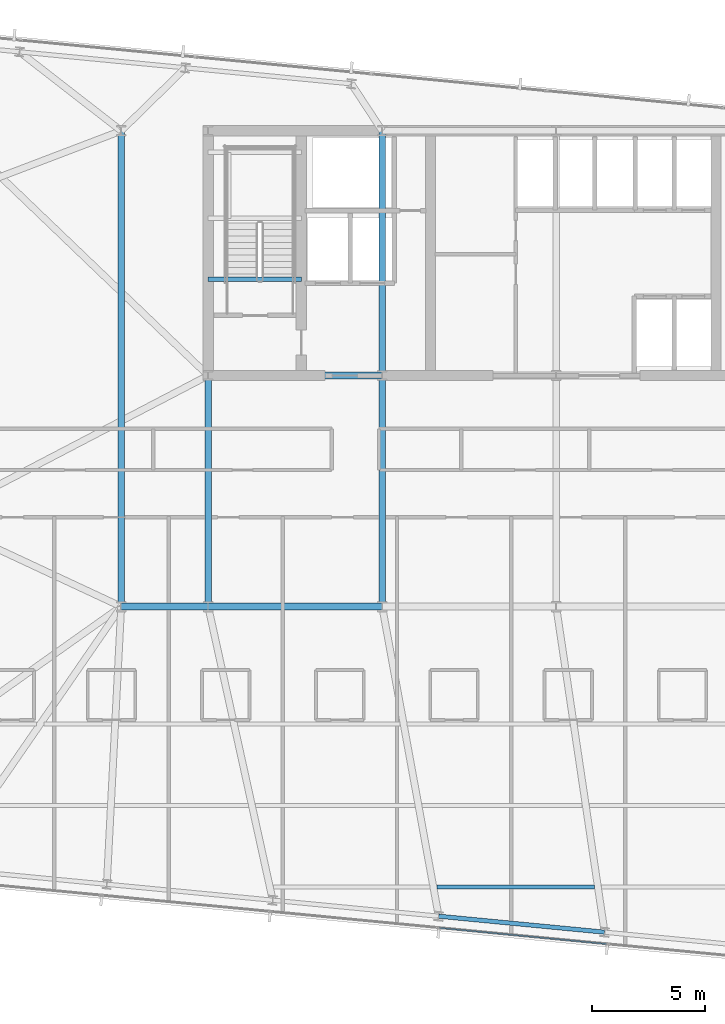
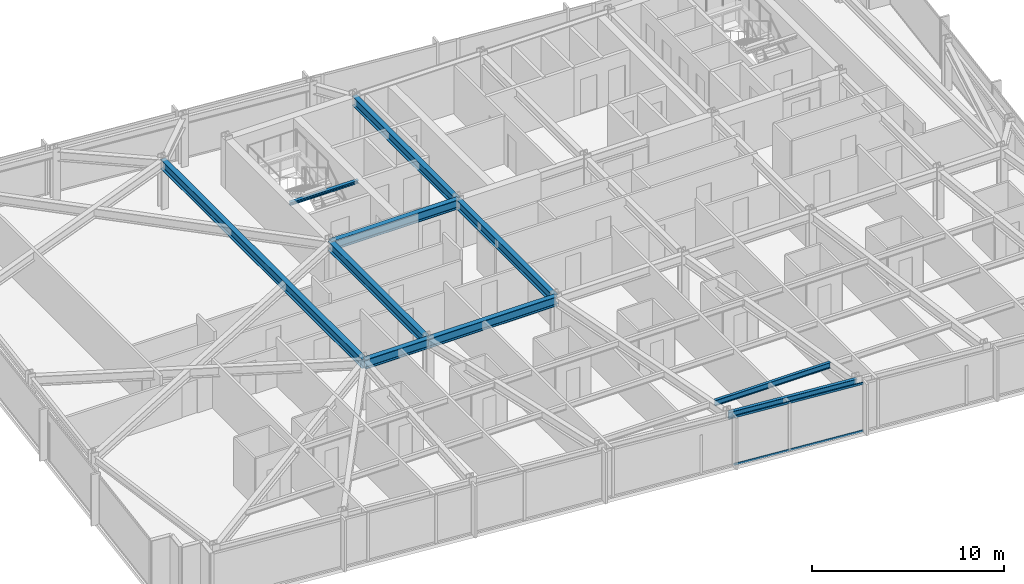
# One storey, part 11 of 37: 10 beams, 2 members, 1 element without a shape of its own.
"""IFC4 building model written with IfcOpenShell, lengths in metres."""

from ifc_helpers import new_model, si_unit, direction, frame, origin, origin_2d, place, context, subcontext, project, spatial, hollow_rectangle, i_section, extrude, material, material_profile, profile_set, type_object, element, aggregate, save


model = new_model("IFC4")

# Units and contexts
model_context = context("Model", 3, precision=1e-05, world=origin(), true_north=direction((0.0, 1.0)))
body_context = subcontext(model_context, "Body", "Model", "MODEL_VIEW")
ifc_project = project(units=[si_unit("LENGTHUNIT", "METRE"), si_unit("AREAUNIT", "SQUARE_METRE"), si_unit("VOLUMEUNIT", "CUBIC_METRE"), si_unit("PLANEANGLEUNIT", "RADIAN"), si_unit("MASSUNIT", "GRAM", prefix="KILO")], contexts=[model_context])

# Site, building, storey
site_placement = place(None, origin())
site = spatial("IfcSite", under=ifc_project, at=site_placement, CompositionType="ELEMENT")
building_placement = place(site_placement, origin())
building = spatial("IfcBuilding", under=site, at=building_placement, Name="Yelkora Congress Tower", CompositionType="ELEMENT")
storey_placement = place(building_placement, frame((0.0, 0.0, 182.0)))
storey = spatial("IfcBuildingStorey", under=building, at=storey_placement, Name="L50", CompositionType="ELEMENT", Elevation=182.0)

# Beams
ifc_material_1 = material(Name="Steel S355J2", Category="steel")
ifc_material_profile_1 = material_profile(ifc_material_1, i_section(OverallWidth=0.300048828125, OverallDepth=0.60009765625, WebThickness=0.015380859375, FlangeThickness=0.030029296875, FilletRadius=0.027099609375, at=origin_2d()), Name="HEB 600")
ifc_profile_set_1 = profile_set([ifc_material_profile_1], Name="Steel S355J2")
beam_type_1 = type_object("IfcBeamType", Name="BM-GIRD-HEB600", PredefinedType="BEAM", material=ifc_profile_set_1)
beam_1_placement = place(storey_placement, frame((19.199951171875, 25.199951171875, 2.780029296875), z_axis=(1.0, 0.0, 0.0), x_axis=(0.0, 1.0, 0.0)))
element("IfcBeam", 1, at=beam_1_placement, inside=storey, type_object=beam_type_1, Name="L50 Spine Grid D Girder 1", PredefinedType="BEAM", context=body_context, shape_type="SweptSolid", body=[
    extrude(i_section(OverallWidth=0.300048828125, OverallDepth=0.60009765625, WebThickness=0.015380859375, FlangeThickness=0.030029296875, FilletRadius=0.027099609375, at=origin_2d()), origin(), (0.0, 0.0, 1.0), 3.840087890625),
])
for number, where, z_axis, x_axis, name in (
    (2, (23.0400390625, 25.199951171875, 2.780029296875), (1.0, 0.0, 0.0), (0.0, 1.0, 0.0), "L50 Spine Grid D Girder 2"),
    (3, (23.0400390625, 35.39990234375, 2.780029296875), (1.0, 0.0, 0.0), (0.0, 1.0, 0.0), "L50 Core South Girder 1"),
):
    element("IfcBeam", number, at=place(storey_placement, frame(where, z_axis=z_axis, x_axis=x_axis)), inside=storey, type_object=beam_type_1, Name=name, PredefinedType="BEAM", context=body_context, shape_type="SweptSolid", body=[
        extrude(i_section(OverallWidth=0.300048828125, OverallDepth=0.60009765625, WebThickness=0.015380859375, FlangeThickness=0.030029296875, FilletRadius=0.027099609375, at=origin_2d()), origin(), (0.0, 0.0, 1.0), 7.679931640625),
    ])
for number, where, z_axis, x_axis, name in (
    (4, (23.0400390625, 25.199951171875, 2.780029296875), (0.0, 1.0, 0.0), (-1.0, 0.0, 0.0), "L50 Core Tie Girder MC-D1"),
    (5, (30.719970703125, 25.199951171875, 2.780029296875), (0.0, 1.0, 0.0), (-1.0, 0.0, 0.0), "L50 Core Tie Girder MC-D2"),
):
    element("IfcBeam", number, at=place(storey_placement, frame(where, z_axis=z_axis, x_axis=x_axis)), inside=storey, type_object=beam_type_1, Name=name, PredefinedType="BEAM", context=body_context, shape_type="SweptSolid", body=[
        extrude(i_section(OverallWidth=0.300048828125, OverallDepth=0.60009765625, WebThickness=0.015380859375, FlangeThickness=0.030029296875, FilletRadius=0.027099609375, at=origin_2d()), origin(), (0.0, 0.0, 1.0), 10.199951171875),
    ])
beam_2_placement = place(storey_placement, frame((30.719970703125, 35.39990234375, 2.780029296875), z_axis=(0.0, 1.0, 0.0), x_axis=(-1.0, 0.0, 0.0)))
element("IfcBeam", 6, at=beam_2_placement, inside=storey, type_object=beam_type_1, Name="L50 Core Tie Girder MC-S2", PredefinedType="BEAM", context=body_context, shape_type="SweptSolid", body=[
    extrude(i_section(OverallWidth=0.300048828125, OverallDepth=0.60009765625, WebThickness=0.015380859375, FlangeThickness=0.030029296875, FilletRadius=0.027099609375, at=origin_2d()), origin(), (0.0, 0.0, 1.0), 10.800048828125),
])
beam_3_placement = place(storey_placement, frame((19.199951171875, 25.199951171875, 2.780029296875), z_axis=(0.0, 1.0, 0.0), x_axis=(-1.0, 0.0, 0.0)))
element("IfcBeam", 7, at=beam_3_placement, inside=storey, type_object=beam_type_1, Name="L50 Neck Flank Girder MC-F1", PredefinedType="BEAM", context=body_context, shape_type="SweptSolid", body=[
    extrude(i_section(OverallWidth=0.300048828125, OverallDepth=0.60009765625, WebThickness=0.015380859375, FlangeThickness=0.030029296875, FilletRadius=0.027099609375, at=origin_2d()), origin(), (0.0, 0.0, 1.0), 21.0),
])
ifc_material_profile_2 = material_profile(ifc_material_1, i_section(OverallWidth=0.169921875, OverallDepth=0.360107421875, WebThickness=0.008056640625, FlangeThickness=0.0126953125, FilletRadius=0.01806640625, at=origin_2d()), Name="IPE 360")
ifc_profile_set_2 = profile_set([ifc_material_profile_2], Name="Steel S355J2")
beam_type_2 = type_object("IfcBeamType", Name="BM-JOIST-IPE360", PredefinedType="JOIST", material=ifc_profile_set_2)
beam_4_placement = place(storey_placement, frame((33.137939453125, 12.8212890625, 2.89990234375), z_axis=(1.0, 0.0, 0.0), x_axis=(0.0, 1.0, 0.0)))
element("IfcBeam", 8, at=beam_4_placement, inside=storey, type_object=beam_type_2, Name="L50 Composite Floor Joist 2", PredefinedType="JOIST", context=body_context, shape_type="SweptSolid", body=[
    extrude(i_section(OverallWidth=0.169921875, OverallDepth=0.360107421875, WebThickness=0.008056640625, FlangeThickness=0.0126953125, FilletRadius=0.01806640625, at=origin_2d()), origin(), (0.0, 0.0, 1.0), 6.94189453125),
])
ifc_material_profile_3 = material_profile(ifc_material_1, i_section(OverallWidth=0.199951171875, OverallDepth=0.18994140625, WebThickness=0.006591796875, FlangeThickness=0.010009765625, FilletRadius=0.01806640625, at=origin_2d()), Name="HEA 200")
ifc_profile_set_3 = profile_set([ifc_material_profile_3], Name="Steel S355J2")
beam_type_3 = type_object("IfcBeamType", Name="BM-LAND-HEA200", PredefinedType="BEAM", material=ifc_profile_set_3)
beam_5_placement = place(storey_placement, frame((23.0400390625, 39.639892578125, 2.85400390625), z_axis=(1.0, 0.0, 0.0), x_axis=(0.0, 1.0, 0.0)))
element("IfcBeam", 9, at=beam_5_placement, inside=storey, type_object=beam_type_3, Name="ST-01 L50 Floor Arrival Stringer Header Beam", PredefinedType="BEAM", context=body_context, shape_type="SweptSolid", body=[
    extrude(i_section(OverallWidth=0.199951171875, OverallDepth=0.18994140625, WebThickness=0.006591796875, FlangeThickness=0.010009765625, FilletRadius=0.01806640625, at=origin_2d()), origin(), (0.0, 0.0, 1.0), 4.10986328125),
])
ifc_material_profile_4 = material_profile(ifc_material_1, i_section(OverallWidth=0.18994140625, OverallDepth=0.449951171875, WebThickness=0.009521484375, FlangeThickness=0.0146484375, FilletRadius=0.02099609375, at=origin_2d()), Name="IPE 450")
ifc_profile_set_4 = profile_set([ifc_material_profile_4], Name="Steel S355J2")
beam_type_4 = type_object("IfcBeamType", Name="BM-SPAN-IPE450", PredefinedType="SPANDREL", material=ifc_profile_set_4)
beam_6_placement = place(storey_placement, frame((33.21240234375, 11.53662109375, 2.85498046875), z_axis=(0.995397104697, -0.095836339457, 0.0), x_axis=(0.095836339457, 0.995397104697, 0.0)))
element("IfcBeam", 10, at=beam_6_placement, inside=storey, type_object=beam_type_4, Name="L50 Perimeter Beam 6", PredefinedType="SPANDREL", context=body_context, shape_type="SweptSolid", body=[
    extrude(i_section(OverallWidth=0.18994140625, OverallDepth=0.449951171875, WebThickness=0.009521484375, FlangeThickness=0.0146484375, FilletRadius=0.02099609375, at=origin_2d()), origin(), (0.0, 0.0, 1.0), 7.357177734375),
])

# Curtain wall, members
ifc_material_2 = material(Name="Anodised aluminium and insulated glass", Category="aluminium")
curtain_wall_type = type_object("IfcCurtainWallType", Name="CW-SYS-B3", PredefinedType="NOTDEFINED", material=ifc_material_2)
curtain_wall_placement = place(storey_placement, origin())
curtain_wall = element("IfcCurtainWall", 11, at=curtain_wall_placement, inside=storey, type_object=curtain_wall_type, Name="L50 Unitised Curtain Wall 20", PredefinedType="NOTDEFINED")
ifc_material_3 = material(Name="Anodised aluminium 6063-T6", Category="aluminium")
ifc_material_profile_5 = material_profile(ifc_material_3, hollow_rectangle(XDim=0.06005859375, YDim=0.1298828125, WallThickness=0.00390625, at=origin_2d()), Name="ALU 60x130x4")
ifc_profile_set_5 = profile_set([ifc_material_profile_5], Name="Anodised aluminium 6063-T6")
member_type = type_object("IfcMemberType", Name="MEM-TR-B3", PredefinedType="USERDEFINED", material=ifc_profile_set_5)
member_1_placement = place(storey_placement, frame((40.626708984375, 10.310302734375, 0.030029296875), z_axis=(-0.99539548672, 0.095853142967, 0.0), x_axis=(-0.095853142967, -0.99539548672, 0.0)))
member_1 = element("IfcMember", 12, at=member_1_placement, type_object=member_type, Name="CW-B3 transom 3.1", ObjectType="TRANSOM", PredefinedType="USERDEFINED", context=body_context, shape_type="SweptSolid", body=[
    extrude(hollow_rectangle(XDim=0.06005859375, YDim=0.1298828125, WallThickness=0.00390625, at=origin_2d()), origin(), (0.0, 0.0, 1.0), 7.404296875),
])
member_2_placement = place(storey_placement, frame((40.626708984375, 10.310302734375, 3.050048828125), z_axis=(-0.99539548672, 0.095853142967, 0.0), x_axis=(-0.095853142967, -0.99539548672, 0.0)))
member_2 = element("IfcMember", 13, at=member_2_placement, type_object=member_type, Name="CW-B3 transom 3.2", ObjectType="TRANSOM", PredefinedType="USERDEFINED", context=body_context, shape_type="SweptSolid", body=[
    extrude(hollow_rectangle(XDim=0.06005859375, YDim=0.1298828125, WallThickness=0.00390625, at=origin_2d()), origin(), (0.0, 0.0, 1.0), 7.404296875),
])
aggregate(curtain_wall, [member_1, member_2])

save(model, "model.ifc")
